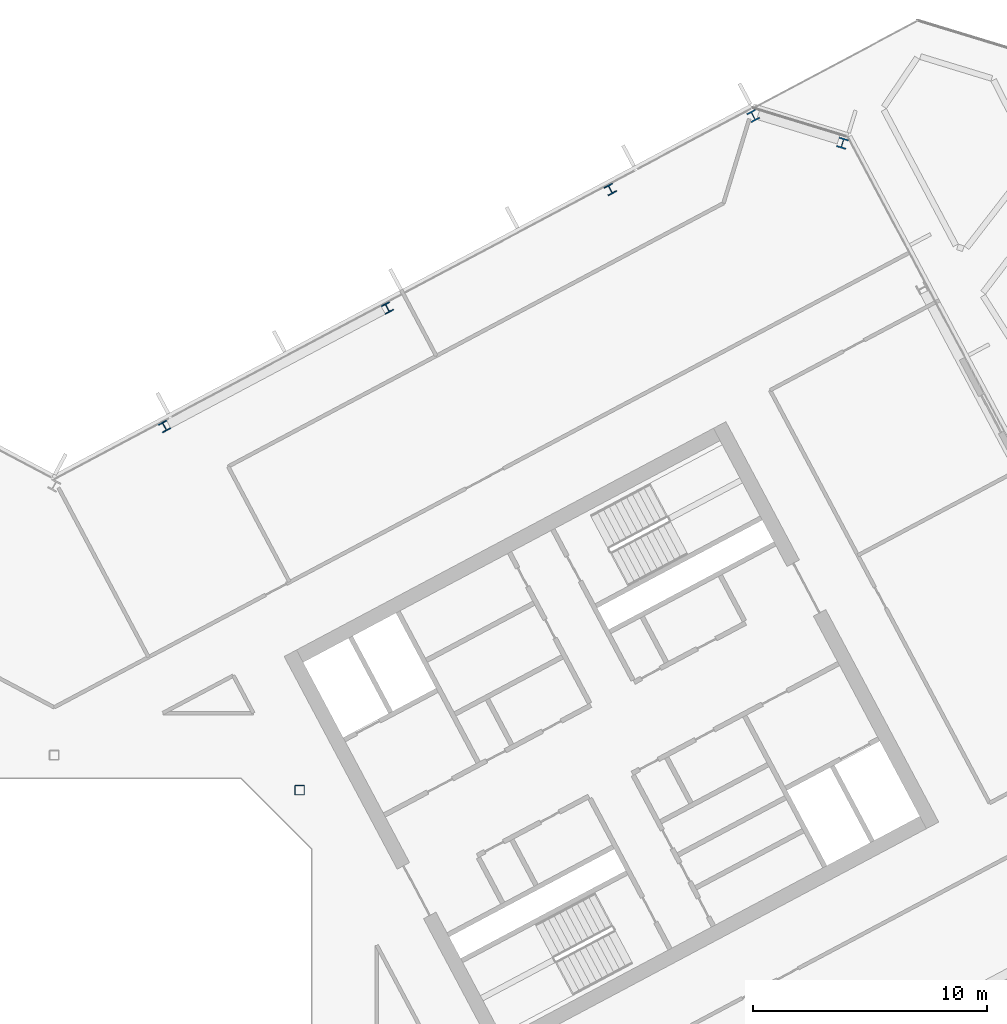
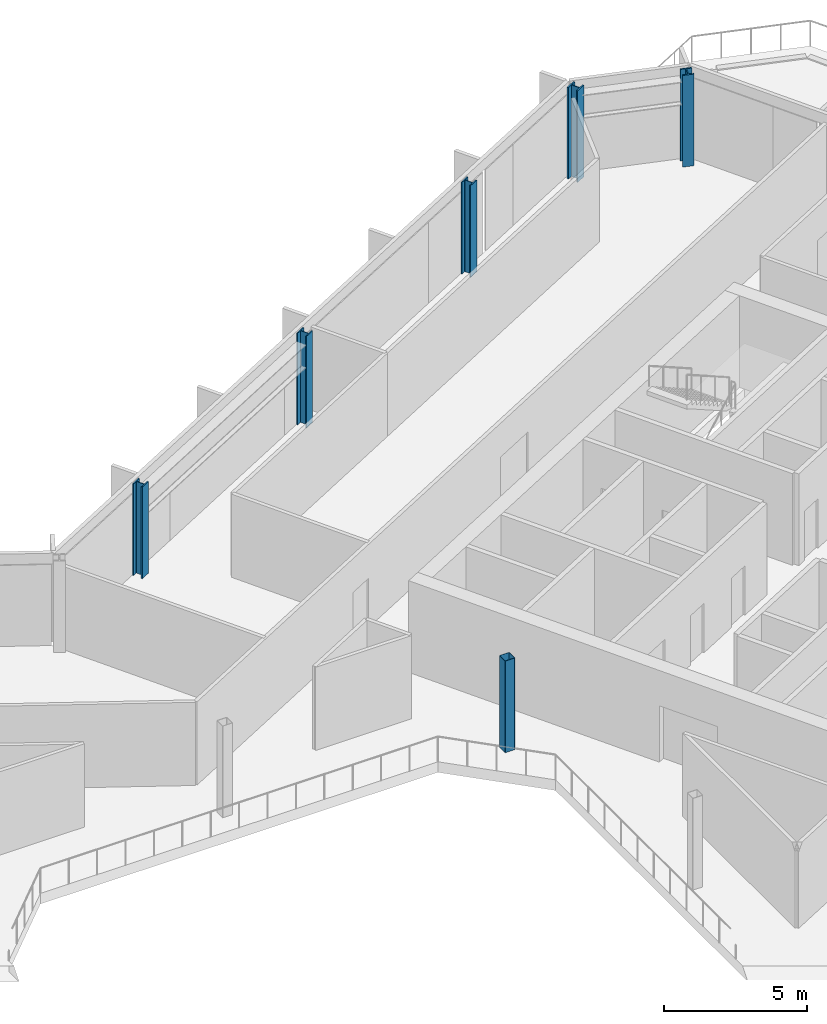
# One storey, part 6 of 31: 6 columns.
"""IFC4 building model written with IfcOpenShell, lengths in metres."""

from ifc_helpers import new_model, si_unit, direction, frame, origin, origin_2d, place, context, subcontext, project, spatial, hollow_rectangle, i_section, extrude, material, material_profile, profile_set, type_object, element, save


model = new_model("IFC4")

# Units and contexts
model_context = context("Model", 3, precision=1e-05, world=origin(), true_north=direction((0.0, 1.0)))
body_context = subcontext(model_context, "Body", "Model", "MODEL_VIEW")
ifc_project = project(units=[si_unit("LENGTHUNIT", "METRE"), si_unit("AREAUNIT", "SQUARE_METRE"), si_unit("VOLUMEUNIT", "CUBIC_METRE"), si_unit("PLANEANGLEUNIT", "RADIAN"), si_unit("MASSUNIT", "GRAM", prefix="KILO")], contexts=[model_context])

# Site, building, storey
site_placement = place(None, origin())
site = spatial("IfcSite", under=ifc_project, at=site_placement, CompositionType="ELEMENT")
building_placement = place(site_placement, origin())
building = spatial("IfcBuilding", under=site, at=building_placement, Name="Cormorant Relay Tower", CompositionType="ELEMENT")
storey_placement = place(building_placement, frame((0.0, 0.0, 189.60009765625)))
storey = spatial("IfcBuildingStorey", under=building, at=storey_placement, Name="L40", CompositionType="ELEMENT", Elevation=189.60009765625)

# Columns
ifc_material_1 = material(Name="Steel ASTM A500 Grade C (Fy 345 MPa)", Category="steel")
ifc_material_profile_1 = material_profile(ifc_material_1, hollow_rectangle(XDim=0.406494140625, YDim=0.406494140625, WallThickness=0.0146484375, InnerFilletRadius=0.00732421875, OuterFilletRadius=0.022216796875, at=origin_2d()), Name="HSS406x406x15")
ifc_profile_set_1 = profile_set([ifc_material_profile_1], Name="Steel ASTM A500 Grade C (Fy 345 MPa)")
column_type_1 = type_object("IfcColumnType", Name="Column HSS406x406x15", PredefinedType="COLUMN", material=ifc_profile_set_1)
column_placement = place(storey_placement, frame((10.5, 10.5, 0.0), z_axis=(0.0, 0.0, 1.0), x_axis=(1.0, 0.0, 0.0)))
element("IfcColumn", 1, at=column_placement, inside=storey, type_object=column_type_1, Name="Column L40-024", PredefinedType="COLUMN", context=body_context, shape_type="SweptSolid", body=[
    extrude(hollow_rectangle(XDim=0.406494140625, YDim=0.406494140625, WallThickness=0.0146484375, InnerFilletRadius=0.00732421875, OuterFilletRadius=0.022216796875, at=origin_2d()), origin(), (0.0, 0.0, 1.0), 3.89990234375),
])
ifc_material_2 = material(Name="Steel ASTM A992 (Fy 345 MPa)", Category="steel")
ifc_material_profile_2 = material_profile(ifc_material_2, i_section(OverallWidth=0.40380859375, OverallDepth=0.406494140625, WebThickness=0.027099609375, FlangeThickness=0.043701171875, FilletRadius=0.01513671875, at=origin_2d()), Name="W360x347")
ifc_profile_set_2 = profile_set([ifc_material_profile_2], Name="Steel ASTM A992 (Fy 345 MPa)")
column_type_2 = type_object("IfcColumnType", Name="Column W360x347", PredefinedType="COLUMN", material=ifc_profile_set_2)
for number, where, z_axis, x_axis, name in (
    (2, (4.719970703125, 26.055908203125, 0.0), (0.0, 0.0, 1.0), (-0.882947592859, -0.469471562786, 0.0), "Column L40-032"),
    (3, (14.256103515625, 31.1259765625, 0.0), (0.0, 0.0, 1.0), (-0.882947592859, -0.469471562786, 0.0), "Column L40-035"),
    (4, (23.7919921875, 36.196044921875, 0.0), (0.0, 0.0, 1.0), (-0.882947592859, -0.469471562786, 0.0), "Column L40-039"),
):
    element("IfcColumn", number, at=place(storey_placement, frame(where, z_axis=z_axis, x_axis=x_axis)), inside=storey, type_object=column_type_2, Name=name, PredefinedType="COLUMN", context=body_context, shape_type="SweptSolid", body=[
        extrude(i_section(OverallWidth=0.40380859375, OverallDepth=0.406494140625, WebThickness=0.027099609375, FlangeThickness=0.043701171875, FilletRadius=0.01513671875, at=origin_2d()), origin(), (0.0, 0.0, 1.0), 3.89990234375),
    ])
ifc_material_3 = material(Name="Steel ASTM A992 (Fy 345 MPa)", Category="steel")
ifc_material_profile_3 = material_profile(ifc_material_3, i_section(OverallWidth=0.41162109375, OverallDepth=0.434326171875, WebThickness=0.035888671875, FlangeThickness=0.057373046875, FilletRadius=0.01513671875, at=origin_2d()), Name="W360x463")
ifc_profile_set_3 = profile_set([ifc_material_profile_3], Name="Steel ASTM A992 (Fy 345 MPa)")
column_type_3 = type_object("IfcColumnType", Name="Column W360x463", PredefinedType="COLUMN", material=ifc_profile_set_3)
for number, where, z_axis, x_axis, name in (
    (5, (33.720947265625, 38.173095703125, 0.0), (0.0, 0.0, 1.0), (-0.956304755963, 0.292371704723, 0.0), "Column L40-041"),
    (6, (29.905029296875, 39.340087890625, 0.0), (0.0, 0.0, 1.0), (-0.882947592859, -0.469471562786, 0.0), "Column L40-043"),
):
    element("IfcColumn", number, at=place(storey_placement, frame(where, z_axis=z_axis, x_axis=x_axis)), inside=storey, type_object=column_type_3, Name=name, PredefinedType="COLUMN", context=body_context, shape_type="SweptSolid", body=[
        extrude(i_section(OverallWidth=0.41162109375, OverallDepth=0.434326171875, WebThickness=0.035888671875, FlangeThickness=0.057373046875, FilletRadius=0.01513671875, at=origin_2d()), origin(), (0.0, 0.0, 1.0), 3.89990234375),
    ])

save(model, "model.ifc")
